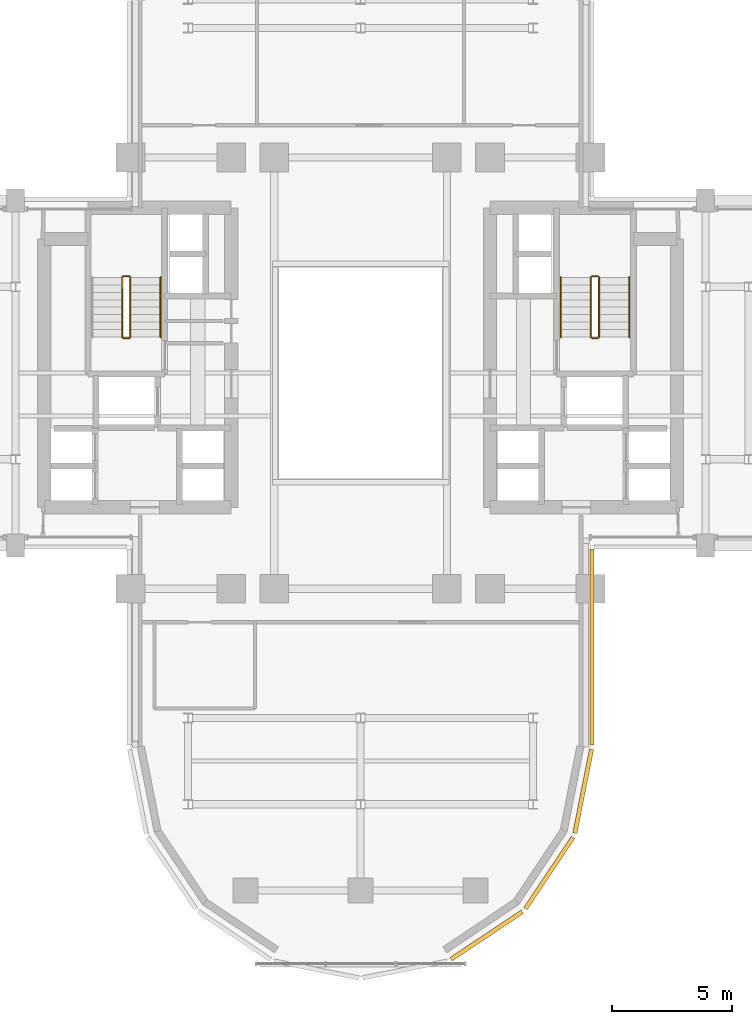
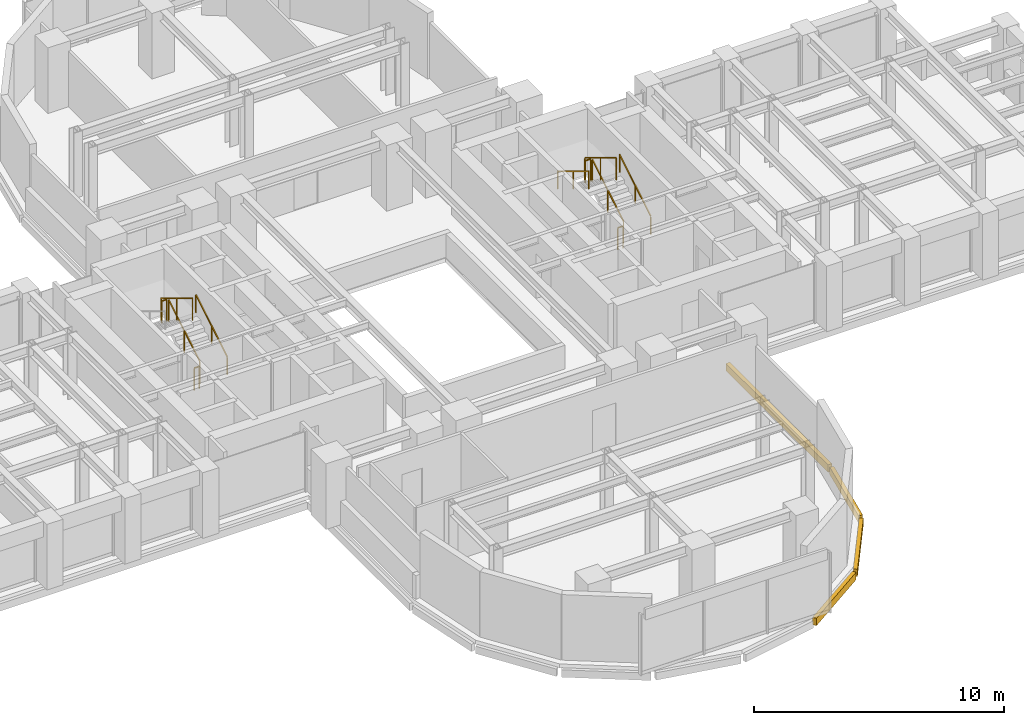
# One storey, part 14 of 15: 11 railings, 4 coverings.
"""IFC4 building model written with IfcOpenShell, lengths in metres."""

from ifc_helpers import new_model, si_unit, direction, frame, origin, origin_2d, place, context, subcontext, project, spatial, rectangle, extrude, source, transform, mapped, material, layer, layer_set, type_object, element, save


model = new_model("IFC4")

# Units and contexts
model_context = context("Model", 3, precision=1e-05, world=origin(), true_north=direction((0.0, 1.0)))
body_context = subcontext(model_context, "Body", "Model", "MODEL_VIEW")
ifc_project = project(units=[si_unit("LENGTHUNIT", "METRE"), si_unit("AREAUNIT", "SQUARE_METRE"), si_unit("VOLUMEUNIT", "CUBIC_METRE"), si_unit("PLANEANGLEUNIT", "RADIAN"), si_unit("MASSUNIT", "GRAM", prefix="KILO")], contexts=[model_context])

# Site, building, storey
site_placement = place(None, origin())
site = spatial("IfcSite", under=ifc_project, at=site_placement, CompositionType="ELEMENT")
building_placement = place(site_placement, origin())
building = spatial("IfcBuilding", under=site, at=building_placement, Name="Keilestroom Media Tower", CompositionType="ELEMENT")
storey_placement = place(building_placement, frame((0.0, 0.0, 47.60009765625)))
storey = spatial("IfcBuildingStorey", under=building, at=storey_placement, Name="L11", CompositionType="ELEMENT", Elevation=47.60009765625)

# Railings
ifc_material_1 = material(Name="Brushed Stainless Steel 1.4301", Category="steel")
railing_type_1 = type_object("IfcRailingType", Name="Stair-Pitch-Handrail-920", PredefinedType="HANDRAIL", material=ifc_material_1)
for number, where, name in (
    (1, (-8.35009765625, 1.5, 0.188720703125), "L11 ST-1 stair handrail 1"),
    (2, (11.2099609375, 1.5, 0.188720703125), "L11 ST-2 stair handrail 1"),
):
    element("IfcRailing", number, at=place(storey_placement, frame(where)), inside=storey, type_object=railing_type_1, Name=name, PredefinedType="HANDRAIL", context=body_context, shape_type="SweptSolid", body=[
        extrude(rectangle(XDim=0.048095703125, YDim=0.048095703125, at=origin_2d()), frame((0.0, 0.0, 0.8759765625), z_axis=(0.0, 0.855433747314, 0.517912255074), x_axis=(-1.0, 0.0, 0.0)), (0.0, 0.0, 1.0), 2.91796875),
        extrude(rectangle(XDim=0.0419921875, YDim=0.0419921875, at=origin_2d()), origin(), (0.0, 0.0, 1.0), 0.84375),
        extrude(rectangle(XDim=0.0419921875, YDim=0.0419921875, at=origin_2d()), frame((0.0, 1.248046875, 0.755615234375)), (0.0, 0.0, 1.0), 0.84375),
        extrude(rectangle(XDim=0.0419921875, YDim=0.0419921875, at=origin_2d()), frame((0.0, 2.49609375, 1.51123046875)), (0.0, 0.0, 1.0), 0.84375),
    ])
railing_1_placement = place(storey_placement, frame((8.35009765625, 3.99609375, 1.888671875)))
element("IfcRailing", 3, at=railing_1_placement, inside=storey, type_object=railing_type_1, Name="L11 ST-2 stair handrail 2", PredefinedType="HANDRAIL", context=body_context, shape_type="SweptSolid", body=[
    extrude(rectangle(XDim=0.048095703125, YDim=0.048095703125, at=origin_2d()), frame((0.0, 0.0, 0.8759765625), z_axis=(0.0, -0.855433747314, 0.517912255074), x_axis=(1.0, 0.0, 0.0)), (0.0, 0.0, 1.0), 2.91796875),
    extrude(rectangle(XDim=0.0419921875, YDim=0.0419921875, at=origin_2d()), origin(), (0.0, 0.0, 1.0), 0.84375),
    extrude(rectangle(XDim=0.0419921875, YDim=0.0419921875, at=origin_2d()), frame((0.0, -1.248046875, 0.755615234375)), (0.0, 0.0, 1.0), 0.84375),
    extrude(rectangle(XDim=0.0419921875, YDim=0.0419921875, at=origin_2d()), frame((0.0, -2.49609375, 1.51123046875)), (0.0, 0.0, 1.0), 0.84375),
])
ifc_material_2 = material(Name="Painted Steel Balustrade", Category="steel")
railing_type_2 = type_object("IfcRailingType", Name="Stair-Well-And-Landing-Guard-1100", PredefinedType="GUARDRAIL", material=ifc_material_2)
railing_2_placement = place(storey_placement, frame((-9.610107421875, 1.5, 0.188720703125)))
element("IfcRailing", 4, at=railing_2_placement, inside=storey, type_object=railing_type_2, Name="L11 ST-1 stair guard 1", PredefinedType="GUARDRAIL", context=body_context, shape_type="SweptSolid", body=[
    extrude(rectangle(XDim=0.048095703125, YDim=0.048095703125, at=origin_2d()), frame((0.0, 0.0, 1.076171875), z_axis=(0.0, 0.855433747314, 0.517912255074), x_axis=(-1.0, 0.0, 0.0)), (0.0, 0.0, 1.0), 2.91796875),
    extrude(rectangle(XDim=0.0419921875, YDim=0.0419921875, at=origin_2d()), origin(), (0.0, 0.0, 1.0), 1.0439453125),
    extrude(rectangle(XDim=0.0419921875, YDim=0.0419921875, at=origin_2d()), frame((0.0, 1.248046875, 0.755615234375)), (0.0, 0.0, 1.0), 1.0439453125),
    extrude(rectangle(XDim=0.0419921875, YDim=0.0419921875, at=origin_2d()), frame((0.0, 2.49609375, 1.51123046875)), (0.0, 0.0, 1.0), 1.0439453125),
])
railing_3_placement = place(storey_placement, frame((-9.659912109375, 4.0458984375, 1.699951171875)))
element("IfcRailing", 5, at=railing_3_placement, inside=storey, type_object=railing_type_2, Name="L11 ST-1 stair guard 2", PredefinedType="GUARDRAIL", context=body_context, shape_type="SweptSolid", body=[
    extrude(rectangle(XDim=0.048095703125, YDim=0.048095703125, at=origin_2d()), frame((0.0, 0.0, 1.076171875), z_axis=(-1.0, 0.0, 0.0), x_axis=(0.0, -1.0, 0.0)), (0.0, 0.0, 1.0), 0.239990234375),
    extrude(rectangle(XDim=0.0419921875, YDim=0.0419921875, at=origin_2d()), origin(), (0.0, 0.0, 1.0), 1.0439453125),
    extrude(rectangle(XDim=0.0419921875, YDim=0.0419921875, at=origin_2d()), frame((-0.239990234375, 0.0, 0.0)), (0.0, 0.0, 1.0), 1.0439453125),
])
railing_4_placement = place(storey_placement, frame((-9.949951171875, 3.99609375, 1.888671875)))
element("IfcRailing", 6, at=railing_4_placement, inside=storey, type_object=railing_type_2, Name="L11 ST-1 stair guard 3", PredefinedType="GUARDRAIL", context=body_context, shape_type="SweptSolid", body=[
    extrude(rectangle(XDim=0.048095703125, YDim=0.048095703125, at=origin_2d()), frame((0.0, 0.0, 1.076171875), z_axis=(0.0, -0.855433747314, 0.517912255074), x_axis=(1.0, 0.0, 0.0)), (0.0, 0.0, 1.0), 2.91796875),
    extrude(rectangle(XDim=0.0419921875, YDim=0.0419921875, at=origin_2d()), origin(), (0.0, 0.0, 1.0), 1.0439453125),
    extrude(rectangle(XDim=0.0419921875, YDim=0.0419921875, at=origin_2d()), frame((0.0, -1.248046875, 0.755615234375)), (0.0, 0.0, 1.0), 1.0439453125),
    extrude(rectangle(XDim=0.0419921875, YDim=0.0419921875, at=origin_2d()), frame((0.0, -2.49609375, 1.51123046875)), (0.0, 0.0, 1.0), 1.0439453125),
])
railing_5_placement = place(storey_placement, frame((-9.659912109375, 1.449951171875, 0.0)))
element("IfcRailing", 7, at=railing_5_placement, inside=storey, type_object=railing_type_2, Name="L11 ST-1 stair guard 4", PredefinedType="GUARDRAIL", context=body_context, shape_type="SweptSolid", body=[
    extrude(rectangle(XDim=0.048095703125, YDim=0.048095703125, at=origin_2d()), frame((0.0, 0.0, 1.076171875), z_axis=(-1.0, 0.0, 0.0), x_axis=(0.0, -1.0, 0.0)), (0.0, 0.0, 1.0), 0.239990234375),
    extrude(rectangle(XDim=0.0419921875, YDim=0.0419921875, at=origin_2d()), origin(), (0.0, 0.0, 1.0), 1.0439453125),
    extrude(rectangle(XDim=0.0419921875, YDim=0.0419921875, at=origin_2d()), frame((-0.239990234375, 0.0, 0.0)), (0.0, 0.0, 1.0), 1.0439453125),
])
railing_6_placement = place(storey_placement, frame((9.949951171875, 1.5, 0.188720703125)))
element("IfcRailing", 8, at=railing_6_placement, inside=storey, type_object=railing_type_2, Name="L11 ST-2 stair guard 1", PredefinedType="GUARDRAIL", context=body_context, shape_type="SweptSolid", body=[
    extrude(rectangle(XDim=0.048095703125, YDim=0.048095703125, at=origin_2d()), frame((0.0, 0.0, 1.076171875), z_axis=(0.0, 0.855433747314, 0.517912255074), x_axis=(-1.0, 0.0, 0.0)), (0.0, 0.0, 1.0), 2.91796875),
    extrude(rectangle(XDim=0.0419921875, YDim=0.0419921875, at=origin_2d()), origin(), (0.0, 0.0, 1.0), 1.0439453125),
    extrude(rectangle(XDim=0.0419921875, YDim=0.0419921875, at=origin_2d()), frame((0.0, 1.248046875, 0.755615234375)), (0.0, 0.0, 1.0), 1.0439453125),
    extrude(rectangle(XDim=0.0419921875, YDim=0.0419921875, at=origin_2d()), frame((0.0, 2.49609375, 1.51123046875)), (0.0, 0.0, 1.0), 1.0439453125),
])
railing_7_placement = place(storey_placement, frame((9.89990234375, 4.0458984375, 1.699951171875)))
element("IfcRailing", 9, at=railing_7_placement, inside=storey, type_object=railing_type_2, Name="L11 ST-2 stair guard 2", PredefinedType="GUARDRAIL", context=body_context, shape_type="SweptSolid", body=[
    extrude(rectangle(XDim=0.048095703125, YDim=0.048095703125, at=origin_2d()), frame((0.0, 0.0, 1.076171875), z_axis=(-1.0, 0.0, 0.0), x_axis=(0.0, -1.0, 0.0)), (0.0, 0.0, 1.0), 0.239990234375),
    extrude(rectangle(XDim=0.0419921875, YDim=0.0419921875, at=origin_2d()), origin(), (0.0, 0.0, 1.0), 1.0439453125),
    extrude(rectangle(XDim=0.0419921875, YDim=0.0419921875, at=origin_2d()), frame((-0.239990234375, 0.0, 0.0)), (0.0, 0.0, 1.0), 1.0439453125),
])
railing_8_placement = place(storey_placement, frame((9.610107421875, 3.99609375, 1.888671875)))
element("IfcRailing", 10, at=railing_8_placement, inside=storey, type_object=railing_type_2, Name="L11 ST-2 stair guard 3", PredefinedType="GUARDRAIL", context=body_context, shape_type="SweptSolid", body=[
    extrude(rectangle(XDim=0.048095703125, YDim=0.048095703125, at=origin_2d()), frame((0.0, 0.0, 1.076171875), z_axis=(0.0, -0.855433747314, 0.517912255074), x_axis=(1.0, 0.0, 0.0)), (0.0, 0.0, 1.0), 2.91796875),
    extrude(rectangle(XDim=0.0419921875, YDim=0.0419921875, at=origin_2d()), origin(), (0.0, 0.0, 1.0), 1.0439453125),
    extrude(rectangle(XDim=0.0419921875, YDim=0.0419921875, at=origin_2d()), frame((0.0, -1.248046875, 0.755615234375)), (0.0, 0.0, 1.0), 1.0439453125),
    extrude(rectangle(XDim=0.0419921875, YDim=0.0419921875, at=origin_2d()), frame((0.0, -2.49609375, 1.51123046875)), (0.0, 0.0, 1.0), 1.0439453125),
])
railing_9_placement = place(storey_placement, frame((9.89990234375, 1.449951171875, 0.0)))
element("IfcRailing", 11, at=railing_9_placement, inside=storey, type_object=railing_type_2, Name="L11 ST-2 stair guard 4", PredefinedType="GUARDRAIL", context=body_context, shape_type="SweptSolid", body=[
    extrude(rectangle(XDim=0.048095703125, YDim=0.048095703125, at=origin_2d()), frame((0.0, 0.0, 1.076171875), z_axis=(-1.0, 0.0, 0.0), x_axis=(0.0, -1.0, 0.0)), (0.0, 0.0, 1.0), 0.239990234375),
    extrude(rectangle(XDim=0.0419921875, YDim=0.0419921875, at=origin_2d()), origin(), (0.0, 0.0, 1.0), 1.0439453125),
    extrude(rectangle(XDim=0.0419921875, YDim=0.0419921875, at=origin_2d()), frame((-0.239990234375, 0.0, 0.0)), (0.0, 0.0, 1.0), 1.0439453125),
])

# Coverings
ifc_material_3 = material(Name="Precast concrete C40/50", Category="concrete")
ifc_layer = layer(ifc_material_3, 0.1201171875)
ifc_layer_set = layer_set([ifc_layer], Name="Precast concrete C40/50")
covering_type = type_object("IfcCoveringType", Name="Exterior-Precast-Spandrel-Cladding-Panel-120", PredefinedType="CLADDING", material=ifc_layer_set)
shared_shape_1 = source(origin(), body_context, "Body", "SweptSolid", [
    extrude(rectangle(XDim=8.166015625, YDim=0.179931640625, at=origin_2d()), origin(), (0.0, 0.0, 1.0), 0.360107421875),
])
covering_1_placement = place(storey_placement, frame((9.659912109375, -11.43310546875, -0.5400390625), z_axis=(0.0, 0.0, 1.0), x_axis=(0.0, -1.0, 0.0)))
element("IfcCovering", 12, at=covering_1_placement, inside=storey, type_object=covering_type, Name="L11 Precast Slab-Edge Fascia Cornice 06", PredefinedType="CLADDING", context=body_context, shape_type="MappedRepresentation", body=[
    mapped(shared_shape_1, transform((0.0, 0.0, 0.0), x_axis=(1.0, 0.0, 0.0), y_axis=(0.0, 1.0, 0.0), z_axis=(0.0, 0.0, 1.0), scale=1.0)),
])
shared_shape_2 = source(origin(), body_context, "Body", "SweptSolid", [
    extrude(rectangle(XDim=3.58349609375, YDim=0.179931640625, at=origin_2d()), origin(), (0.0, 0.0, 1.0), 0.360107421875),
])
covering_2_placement = place(storey_placement, frame((9.29296875, -17.45166015625, -0.5400390625), z_axis=(0.0, 0.0, 1.0), x_axis=(-0.195098880975, -0.980783577882, 0.0)))
element("IfcCovering", 13, at=covering_2_placement, inside=storey, type_object=covering_type, Name="L11 Precast Slab-Edge Fascia Cornice 07", PredefinedType="CLADDING", context=body_context, shape_type="MappedRepresentation", body=[
    mapped(shared_shape_2, transform((0.0, 0.0, 0.0), x_axis=(1.0, 0.0, 0.0), y_axis=(0.0, 1.0, 0.0), z_axis=(0.0, 0.0, 1.0), scale=1.0)),
])
shared_shape_3 = source(origin(), body_context, "Body", "SweptSolid", [
    extrude(rectangle(XDim=3.589599609375, YDim=0.179931640625, at=origin_2d()), origin(), (0.0, 0.0, 1.0), 0.360107421875),
])
for number, where, z_axis, x_axis, name in (
    (14, (7.878662109375, -20.8642578125, -0.5400390625), (0.0, 0.0, 1.0), (-0.555574586577, -0.831466703332, 0.0), "L11 Precast Slab-Edge Fascia Cornice 08"),
    (15, (5.264404296875, -23.478515625, -0.5400390625), (0.0, 0.0, 1.0), (-0.831466703332, -0.555574586577, 0.0), "L11 Precast Slab-Edge Fascia Cornice 09"),
):
    element("IfcCovering", number, at=place(storey_placement, frame(where, z_axis=z_axis, x_axis=x_axis)), inside=storey, type_object=covering_type, Name=name, PredefinedType="CLADDING", context=body_context, shape_type="MappedRepresentation", body=[
        mapped(shared_shape_3, transform((0.0, 0.0, 0.0), x_axis=(1.0, 0.0, 0.0), y_axis=(0.0, 1.0, 0.0), z_axis=(0.0, 0.0, 1.0), scale=1.0)),
    ])

save(model, "model.ifc")
